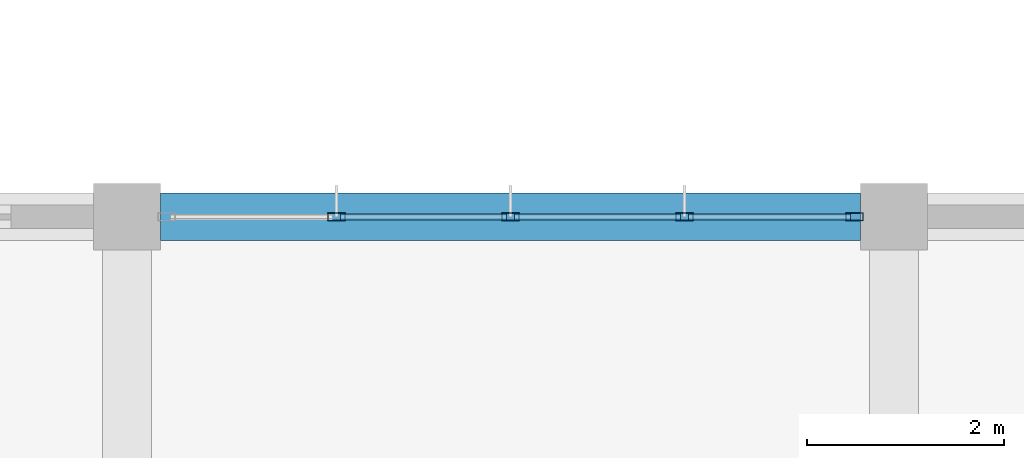
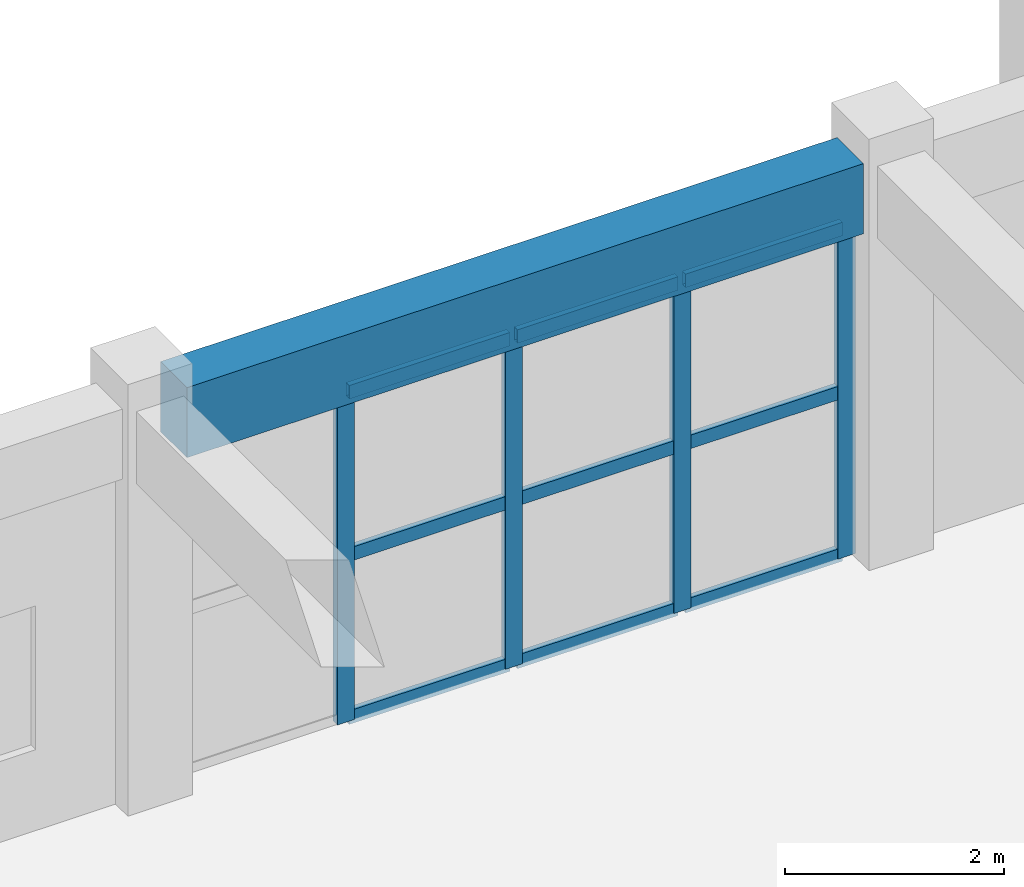
# One storey, part 117 of 175: 13 members, 1 beam, 1 element without a shape of its own.
"""IFC4 building model written with IfcOpenShell, lengths in metres."""

from ifc_helpers import new_model, si_unit, direction, frame, origin, origin_2d, place, context, subcontext, project, spatial, rectangle, hollow_rectangle, extrude, material, layer, layer_set, material_profile, profile_set, type_object, element, aggregate, save


model = new_model("IFC4")

# Units and contexts
model_context = context("Model", 3, precision=1e-05, world=origin(), true_north=direction((0.0, 1.0)))
body_context = subcontext(model_context, "Body", "Model", "MODEL_VIEW")
ifc_project = project(units=[si_unit("LENGTHUNIT", "METRE"), si_unit("AREAUNIT", "SQUARE_METRE"), si_unit("VOLUMEUNIT", "CUBIC_METRE"), si_unit("PLANEANGLEUNIT", "RADIAN"), si_unit("MASSUNIT", "GRAM", prefix="KILO")], contexts=[model_context])

# Site, building, storey
site_placement = place(None, origin())
site = spatial("IfcSite", under=ifc_project, at=site_placement, CompositionType="ELEMENT")
building_placement = place(site_placement, origin())
building = spatial("IfcBuilding", under=site, at=building_placement, Name="Zizhar Promenade General Hospital", CompositionType="ELEMENT")
storey_placement = place(building_placement, frame((0.0, 0.0, 4.800048828125)))
storey = spatial("IfcBuildingStorey", under=building, at=storey_placement, Name="L01", CompositionType="ELEMENT", Elevation=4.800048828125)

# Beam
ifc_material_1 = material(Name="Concrete C35/45", Category="concrete")
ifc_material_profile_1 = material_profile(ifc_material_1, rectangle(XDim=0.47998046875, YDim=0.780029296875, at=origin_2d()))
ifc_profile_set_1 = profile_set([ifc_material_profile_1], Name="Concrete C35/45")
beam_type = type_object("IfcBeamType", Name="BM-RC-480x780", PredefinedType="BEAM", material=ifc_profile_set_1)
beam_placement = place(storey_placement, frame((171.93994140625, 109.199951171875, 4.079833984375), z_axis=(1.0, 0.0, 0.0), x_axis=(0.0, 1.0, 0.0)))
element("IfcBeam", 1, at=beam_placement, inside=storey, type_object=beam_type, Name="Grid Beam X L01 (22-13)", PredefinedType="BEAM", context=body_context, shape_type="SweptSolid", body=[
    extrude(rectangle(XDim=0.47998046875, YDim=0.780029296875, at=origin_2d()), origin(), (0.0, 0.0, 1.0), 7.1201171875),
])

# Curtain wall, members
ifc_material_2 = material(Name="Anodised aluminium 6063-T6 and low-E glass", Category="aluminium")
ifc_layer = layer(ifc_material_2, 0.159912109375)
ifc_layer_set = layer_set([ifc_layer], Name="Anodised aluminium 6063-T6 and low-E glass")
curtain_wall_type = type_object("IfcCurtainWallType", Name="CW-CLN-EXT", PredefinedType="NOTDEFINED", material=ifc_layer_set)
curtain_wall_placement = place(storey_placement, origin())
curtain_wall = element("IfcCurtainWall", 2, at=curtain_wall_placement, inside=storey, type_object=curtain_wall_type, Name="Outpatient North Curtain Wall L01-22", PredefinedType="NOTDEFINED")
ifc_material_3 = material(Name="Anodised aluminium 6063-T6", Category="aluminium")
ifc_material_profile_2 = material_profile(ifc_material_3, hollow_rectangle(XDim=0.080078125, YDim=0.179931640625, WallThickness=0.0048828125, at=origin_2d()))
ifc_profile_set_2 = profile_set([ifc_material_profile_2], Name="Anodised aluminium 6063-T6")
member_type_1 = type_object("IfcMemberType", Name="CWM-ALU-180x80", PredefinedType="MULLION", material=ifc_profile_set_2)
member_1_placement = place(storey_placement, frame((173.72998046875, 109.199951171875, 0.0), z_axis=(0.0, 0.0, 1.0), x_axis=(0.0, 1.0, 0.0)))
member_1 = element("IfcMember", 3, at=member_1_placement, type_object=member_type_1, Name="CW-09 mullion 2", PredefinedType="MULLION", context=body_context, shape_type="SweptSolid", body=[
    extrude(hollow_rectangle(XDim=0.080078125, YDim=0.179931640625, WallThickness=0.0048828125, at=origin_2d()), origin(), (0.0, 0.0, 1.0), 3.679931640625),
])
member_2_placement = place(storey_placement, frame((175.5, 109.199951171875, 0.0), z_axis=(0.0, 0.0, 1.0), x_axis=(0.0, 1.0, 0.0)))
member_2 = element("IfcMember", 4, at=member_2_placement, type_object=member_type_1, Name="CW-09 mullion 3", PredefinedType="MULLION", context=body_context, shape_type="SweptSolid", body=[
    extrude(hollow_rectangle(XDim=0.080078125, YDim=0.179931640625, WallThickness=0.0048828125, at=origin_2d()), origin(), (0.0, 0.0, 1.0), 3.679931640625),
])
member_3_placement = place(storey_placement, frame((177.27001953125, 109.199951171875, 0.0), z_axis=(0.0, 0.0, 1.0), x_axis=(0.0, 1.0, 0.0)))
member_3 = element("IfcMember", 5, at=member_3_placement, type_object=member_type_1, Name="CW-09 mullion 4", PredefinedType="MULLION", context=body_context, shape_type="SweptSolid", body=[
    extrude(hollow_rectangle(XDim=0.080078125, YDim=0.179931640625, WallThickness=0.0048828125, at=origin_2d()), origin(), (0.0, 0.0, 1.0), 3.679931640625),
])
member_4_placement = place(storey_placement, frame((179.0, 109.199951171875, 0.0), z_axis=(0.0, 0.0, 1.0), x_axis=(0.0, 1.0, 0.0)))
member_4 = element("IfcMember", 6, at=member_4_placement, type_object=member_type_1, Name="CW-09 mullion 5", PredefinedType="MULLION", context=body_context, shape_type="SweptSolid", body=[
    extrude(hollow_rectangle(XDim=0.080078125, YDim=0.179931640625, WallThickness=0.0048828125, at=origin_2d()), origin(), (0.0, 0.0, 1.0), 3.679931640625),
])
ifc_material_4 = material(Name="Anodised aluminium 6063-T6", Category="aluminium")
ifc_material_profile_3 = material_profile(ifc_material_4, hollow_rectangle(XDim=0.06005859375, YDim=0.14990234375, WallThickness=0.00390625, at=origin_2d()))
ifc_profile_set_3 = profile_set([ifc_material_profile_3], Name="Anodised aluminium 6063-T6")
member_type_2 = type_object("IfcMemberType", Name="CWT-ALU-150x60", PredefinedType="USERDEFINED", material=ifc_profile_set_3)
member_5_placement = place(storey_placement, frame((173.77001953125, 109.199951171875, 0.030029296875), z_axis=(1.0, 0.0, 0.0), x_axis=(0.0, 1.0, 0.0)))
member_5 = element("IfcMember", 7, at=member_5_placement, type_object=member_type_2, Name="CW-09 transom 2.1", ObjectType="TRANSOM", PredefinedType="USERDEFINED", context=body_context, shape_type="SweptSolid", body=[
    extrude(hollow_rectangle(XDim=0.06005859375, YDim=0.14990234375, WallThickness=0.00390625, at=origin_2d()), origin(), (0.0, 0.0, 1.0), 1.68994140625),
])
member_6_placement = place(storey_placement, frame((173.77001953125, 109.199951171875, 1.83984375), z_axis=(1.0, 0.0, 0.0), x_axis=(0.0, 1.0, 0.0)))
member_6 = element("IfcMember", 8, at=member_6_placement, type_object=member_type_2, Name="CW-09 transom 2.2", ObjectType="TRANSOM", PredefinedType="USERDEFINED", context=body_context, shape_type="SweptSolid", body=[
    extrude(hollow_rectangle(XDim=0.06005859375, YDim=0.14990234375, WallThickness=0.00390625, at=origin_2d()), origin(), (0.0, 0.0, 1.0), 1.68994140625),
])
member_7_placement = place(storey_placement, frame((173.77001953125, 109.199951171875, 3.64990234375), z_axis=(1.0, 0.0, 0.0), x_axis=(0.0, 1.0, 0.0)))
member_7 = element("IfcMember", 9, at=member_7_placement, type_object=member_type_2, Name="CW-09 transom 2.3", ObjectType="TRANSOM", PredefinedType="USERDEFINED", context=body_context, shape_type="SweptSolid", body=[
    extrude(hollow_rectangle(XDim=0.06005859375, YDim=0.14990234375, WallThickness=0.00390625, at=origin_2d()), origin(), (0.0, 0.0, 1.0), 1.68994140625),
])
member_8_placement = place(storey_placement, frame((175.5400390625, 109.199951171875, 0.030029296875), z_axis=(1.0, 0.0, 0.0), x_axis=(0.0, 1.0, 0.0)))
member_8 = element("IfcMember", 10, at=member_8_placement, type_object=member_type_2, Name="CW-09 transom 3.1", ObjectType="TRANSOM", PredefinedType="USERDEFINED", context=body_context, shape_type="SweptSolid", body=[
    extrude(hollow_rectangle(XDim=0.06005859375, YDim=0.14990234375, WallThickness=0.00390625, at=origin_2d()), origin(), (0.0, 0.0, 1.0), 1.68994140625),
])
member_9_placement = place(storey_placement, frame((175.5400390625, 109.199951171875, 1.83984375), z_axis=(1.0, 0.0, 0.0), x_axis=(0.0, 1.0, 0.0)))
member_9 = element("IfcMember", 11, at=member_9_placement, type_object=member_type_2, Name="CW-09 transom 3.2", ObjectType="TRANSOM", PredefinedType="USERDEFINED", context=body_context, shape_type="SweptSolid", body=[
    extrude(hollow_rectangle(XDim=0.06005859375, YDim=0.14990234375, WallThickness=0.00390625, at=origin_2d()), origin(), (0.0, 0.0, 1.0), 1.68994140625),
])
member_10_placement = place(storey_placement, frame((175.5400390625, 109.199951171875, 3.64990234375), z_axis=(1.0, 0.0, 0.0), x_axis=(0.0, 1.0, 0.0)))
member_10 = element("IfcMember", 12, at=member_10_placement, type_object=member_type_2, Name="CW-09 transom 3.3", ObjectType="TRANSOM", PredefinedType="USERDEFINED", context=body_context, shape_type="SweptSolid", body=[
    extrude(hollow_rectangle(XDim=0.06005859375, YDim=0.14990234375, WallThickness=0.00390625, at=origin_2d()), origin(), (0.0, 0.0, 1.0), 1.68994140625),
])
member_11_placement = place(storey_placement, frame((177.31005859375, 109.199951171875, 0.030029296875), z_axis=(1.0, 0.0, 0.0), x_axis=(0.0, 1.0, 0.0)))
member_11 = element("IfcMember", 13, at=member_11_placement, type_object=member_type_2, Name="CW-09 transom 4.1", ObjectType="TRANSOM", PredefinedType="USERDEFINED", context=body_context, shape_type="SweptSolid", body=[
    extrude(hollow_rectangle(XDim=0.06005859375, YDim=0.14990234375, WallThickness=0.00390625, at=origin_2d()), origin(), (0.0, 0.0, 1.0), 1.64990234375),
])
member_12_placement = place(storey_placement, frame((177.31005859375, 109.199951171875, 1.83984375), z_axis=(1.0, 0.0, 0.0), x_axis=(0.0, 1.0, 0.0)))
member_12 = element("IfcMember", 14, at=member_12_placement, type_object=member_type_2, Name="CW-09 transom 4.2", ObjectType="TRANSOM", PredefinedType="USERDEFINED", context=body_context, shape_type="SweptSolid", body=[
    extrude(hollow_rectangle(XDim=0.06005859375, YDim=0.14990234375, WallThickness=0.00390625, at=origin_2d()), origin(), (0.0, 0.0, 1.0), 1.64990234375),
])
member_13_placement = place(storey_placement, frame((177.31005859375, 109.199951171875, 3.64990234375), z_axis=(1.0, 0.0, 0.0), x_axis=(0.0, 1.0, 0.0)))
member_13 = element("IfcMember", 15, at=member_13_placement, type_object=member_type_2, Name="CW-09 transom 4.3", ObjectType="TRANSOM", PredefinedType="USERDEFINED", context=body_context, shape_type="SweptSolid", body=[
    extrude(hollow_rectangle(XDim=0.06005859375, YDim=0.14990234375, WallThickness=0.00390625, at=origin_2d()), origin(), (0.0, 0.0, 1.0), 1.64990234375),
])
aggregate(curtain_wall, [member_1, member_2, member_3, member_4, member_5, member_6, member_7, member_8, member_9, member_10, member_11, member_12, member_13])

save(model, "model.ifc")
